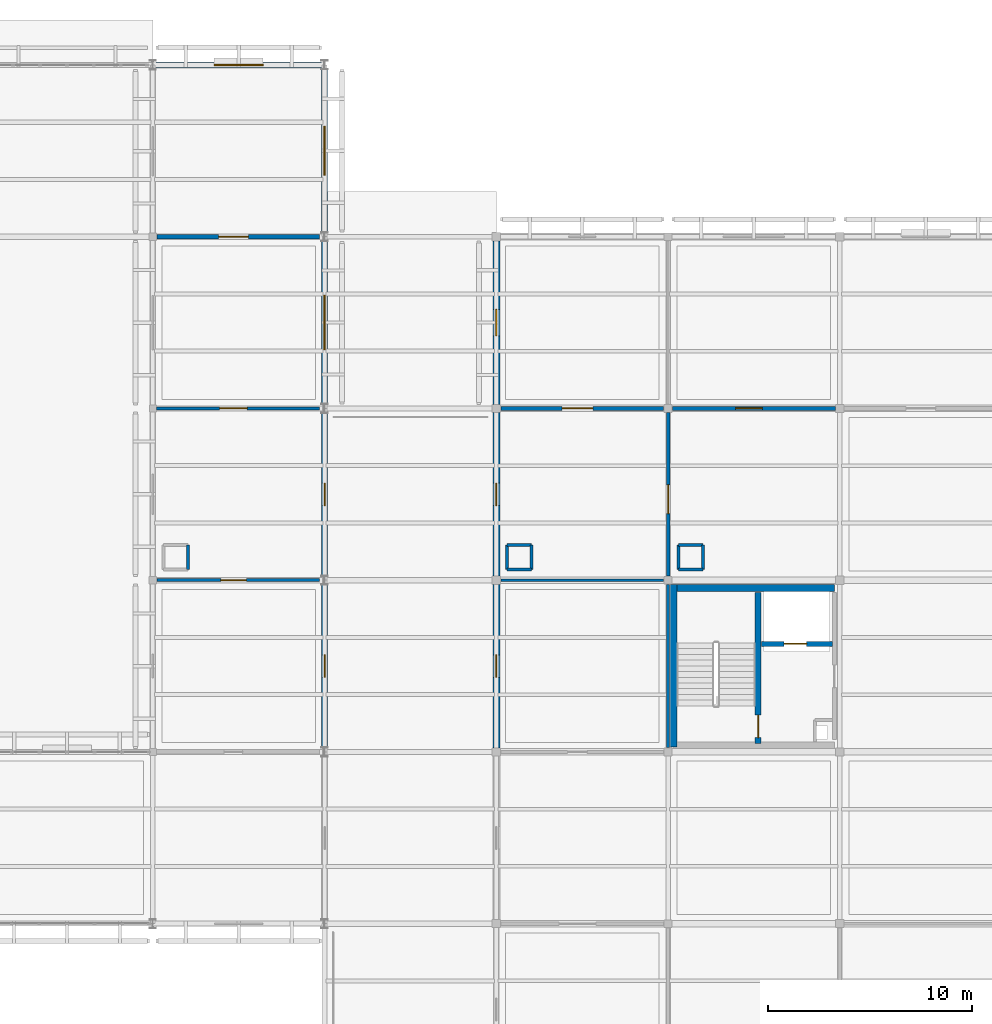
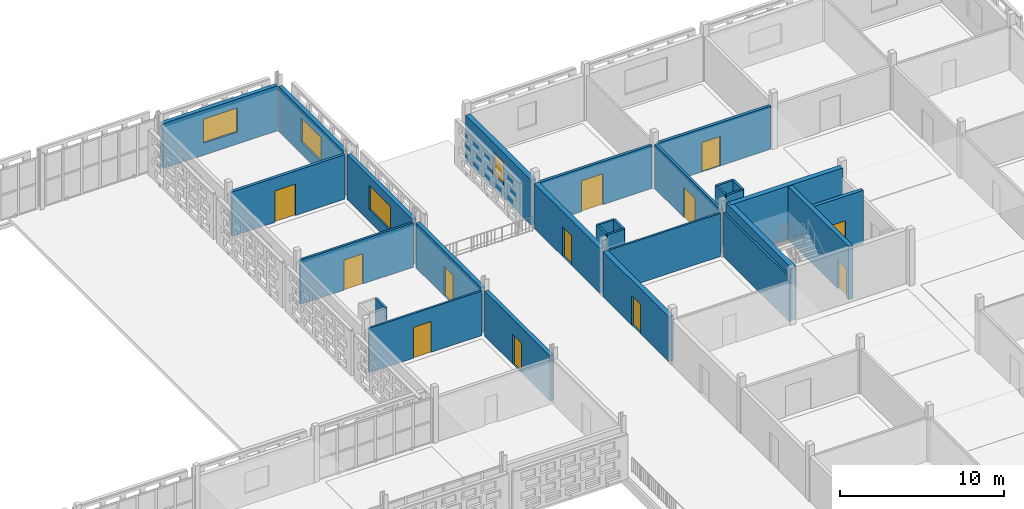
# One storey, part 91 of 140: 29 walls, 12 doors, 4 windows, 16 openings.
"""IFC4 building model written with IfcOpenShell, lengths in metres."""

from ifc_helpers import new_model, si_unit, direction, frame, frame_2d, origin, place, context, subcontext, project, spatial, rectangle, extrude, material, layer, layer_set, type_object, element, fill, save


model = new_model("IFC4")

# Units and contexts
model_context = context("Model", 3, precision=1e-05, world=origin(), true_north=direction((0.0, 1.0)))
body_context = subcontext(model_context, "Body", "Model", "MODEL_VIEW")
ifc_project = project(units=[si_unit("LENGTHUNIT", "METRE"), si_unit("AREAUNIT", "SQUARE_METRE"), si_unit("VOLUMEUNIT", "CUBIC_METRE"), si_unit("PLANEANGLEUNIT", "RADIAN"), si_unit("MASSUNIT", "GRAM", prefix="KILO")], contexts=[model_context])

# Site, building, storey
site_placement = place(None, origin())
site = spatial("IfcSite", under=ifc_project, at=site_placement, CompositionType="ELEMENT")
building_placement = place(site_placement, origin())
building = spatial("IfcBuilding", under=site, at=building_placement, Name="Varnapada Polytechnic", CompositionType="ELEMENT")
storey_placement = place(building_placement, frame((0.0, 0.0, 13.800048828125)))
storey = spatial("IfcBuildingStorey", under=building, at=storey_placement, Name="L03", CompositionType="ELEMENT", Elevation=13.800048828125)

# Walls
ifc_material_1 = material(Name="Autoclaved Aerated Concrete Block AAC-600", Category="concrete")
ifc_layer_1 = layer(ifc_material_1, 0.14990234375)
ifc_layer_set_1 = layer_set([ifc_layer_1], Name="Autoclaved Aerated Concrete Block AAC-600")
wall_type_1 = type_object("IfcWallType", Name="Interior Wall IW-02", PredefinedType="PARTITIONING", material=ifc_layer_set_1)
for number, where, z_axis, x_axis, name in (
    (1, (127.719970703125, 101.320068359375, 0.0), (0.0, 0.0, 1.0), (0.0, 1.0, 0.0), "L03 enclosed service riser wall (16,13) E"),
    (2, (143.320068359375, 101.320068359375, 0.0), (0.0, 0.0, 1.0), (1.0, 0.0, 0.0), "L03 enclosed service riser wall (18,13) S"),
    (3, (144.52001953125, 101.320068359375, 0.0), (0.0, 0.0, 1.0), (0.0, 1.0, 0.0), "L03 enclosed service riser wall (18,13) E"),
    (4, (144.52001953125, 102.52001953125, 0.0), (0.0, 0.0, 1.0), (-1.0, 0.0, 0.0), "L03 enclosed service riser wall (18,13) N"),
    (5, (143.320068359375, 102.52001953125, 0.0), (0.0, 0.0, 1.0), (0.0, -1.0, 0.0), "L03 enclosed service riser wall (18,13) W"),
    (6, (151.719970703125, 101.320068359375, 0.0), (0.0, 0.0, 1.0), (1.0, 0.0, 0.0), "L03 enclosed service riser wall (19,13) S"),
    (7, (152.919921875, 101.320068359375, 0.0), (0.0, 0.0, 1.0), (0.0, 1.0, 0.0), "L03 enclosed service riser wall (19,13) E"),
    (8, (152.919921875, 102.52001953125, 0.0), (0.0, 0.0, 1.0), (-1.0, 0.0, 0.0), "L03 enclosed service riser wall (19,13) N"),
    (9, (151.719970703125, 102.52001953125, 0.0), (0.0, 0.0, 1.0), (0.0, -1.0, 0.0), "L03 enclosed service riser wall (19,13) W"),
):
    element("IfcWall", number, at=place(storey_placement, frame(where, z_axis=z_axis, x_axis=x_axis)), inside=storey, type_object=wall_type_1, Name=name, PredefinedType="PARTITIONING", context=body_context, shape_type="SweptSolid", body=[
        extrude(rectangle(XDim=1.199951171875, YDim=0.14990234375, at=frame_2d((0.60009765625, 0.0))), origin(), (0.0, 0.0, 1.0), 3.97998046875),
    ])
ifc_material_2 = material(Name="Moisture-Resistant Cement Board Partition")
ifc_layer_2 = layer(ifc_material_2, 0.139892578125)
ifc_layer_set_2 = layer_set([ifc_layer_2], Name="Moisture-Resistant Cement Board Partition")
wall_type_2 = type_object("IfcWallType", Name="Interior Wall IW-04", PredefinedType="PARTITIONING", material=ifc_layer_set_2)
wall_1_placement = place(storey_placement, frame((151.199951171875, 92.610107421875, 0.0), z_axis=(0.0, 0.0, 1.0), x_axis=(0.0, 1.0, 0.0)))
element("IfcWall", 10, at=wall_1_placement, inside=storey, type_object=wall_type_2, Name="L03 interior partition IW-L03-17-11-V", PredefinedType="PARTITIONING", context=body_context, shape_type="SweptSolid", body=[
    extrude(rectangle(XDim=7.97998046875, YDim=0.139892578125, at=frame_2d((3.989990234375, 0.0))), origin(), (0.0, 0.0, 1.0), 3.320068359375),
])
wall_2_placement = place(storey_placement, frame((143.02001953125, 100.800048828125, 0.0), z_axis=(0.0, 0.0, 1.0), x_axis=(1.0, 0.0, 0.0)))
element("IfcWall", 11, at=wall_2_placement, inside=storey, type_object=wall_type_2, Name="L03 interior partition IW-L03-17-11-H", PredefinedType="PARTITIONING", context=body_context, shape_type="SweptSolid", body=[
    extrude(rectangle(XDim=7.969970703125, YDim=0.139892578125, at=frame_2d((3.98486328125, 0.0))), origin(), (0.0, 0.0, 1.0), 3.219970703125),
])

# Wall, opening, door
ifc_material_3 = material(Name="Double-Layer Fireboard Workshop Wall")
ifc_layer_3 = layer(ifc_material_3, 0.169921875)
ifc_layer_set_3 = layer_set([ifc_layer_3], Name="Double-Layer Fireboard Workshop Wall")
wall_type_3 = type_object("IfcWallType", Name="Interior Wall IW-10", PredefinedType="PARTITIONING", material=ifc_layer_set_3)
wall_3_placement = place(storey_placement, frame((151.199951171875, 101.010009765625, 0.0), z_axis=(0.0, 0.0, 1.0), x_axis=(0.0, 1.0, 0.0)))
wall_3 = element("IfcWall", 12, at=wall_3_placement, inside=storey, type_object=wall_type_3, Name="L03 interior partition IW-L03-17-12-V", PredefinedType="PARTITIONING", context=body_context, shape_type="SweptSolid", body=[
    extrude(rectangle(XDim=7.97998046875, YDim=0.169921875, at=frame_2d((3.989990234375, 0.0))), origin(), (0.0, 0.0, 1.0), 3.320068359375),
])
opening_1_placement = place(wall_3_placement, frame((3.050048828125, 0.0, 0.0)))
opening_1 = element("IfcOpeningElement", 13, at=opening_1_placement, cuts=wall_3, Name="Opening D-1245", PredefinedType="OPENING", context=body_context, shape_type="SweptSolid", body=[
    extrude(rectangle(XDim=1.39990234375, YDim=2.25, at=frame_2d((0.699951171875, 1.125))), frame((0.0, 0.094970703125, 0.0), z_axis=(0.0, -1.0, 0.0), x_axis=(1.0, 0.0, 0.0)), (0.0, 0.0, 1.0), 0.18994140625),
])
ifc_material_4 = material(Name="Powder-Coated Aluminium 6063-T6", Category="aluminium")
door_type_1 = type_object("IfcDoorType", Name="Interior Door ID-06", OperationType="NOTDEFINED", PredefinedType="DOOR", material=ifc_material_4)
door_1_placement = place(opening_1_placement, origin())
door_1 = element("IfcDoor", 14, at=door_1_placement, inside=storey, type_object=door_type_1, Name="L03 interior room door D-1245", OperationType="SINGLE_SWING_RIGHT", OverallHeight=2.25, OverallWidth=1.39990234375, PredefinedType="DOOR", context=body_context, shape_type="SweptSolid", body=[
    extrude(rectangle(XDim=1.39990234375, YDim=2.25, at=frame_2d((0.699951171875, 1.125))), frame((0.0, 0.02490234375, 0.0), z_axis=(0.0, -1.0, 0.0), x_axis=(1.0, 0.0, 0.0)), (0.0, 0.0, 1.0), 0.050048828125),
])
fill(opening_1, door_1)

ifc_material_5 = material(Name="Insulated Masonry Plant Room Wall", Category="masonry")
ifc_layer_4 = layer(ifc_material_5, 0.18994140625)
ifc_layer_set_4 = layer_set([ifc_layer_4], Name="Insulated Masonry Plant Room Wall")
wall_type_4 = type_object("IfcWallType", Name="Interior Wall IW-11", PredefinedType="PARTITIONING", material=ifc_layer_set_4)
wall_4_placement = place(storey_placement, frame((143.02001953125, 109.199951171875, 0.0), z_axis=(0.0, 0.0, 1.0), x_axis=(1.0, 0.0, 0.0)))
wall_4 = element("IfcWall", 15, at=wall_4_placement, inside=storey, type_object=wall_type_4, Name="L03 interior partition IW-L03-17-12-H", PredefinedType="PARTITIONING", context=body_context, shape_type="SweptSolid", body=[
    extrude(rectangle(XDim=7.969970703125, YDim=0.18994140625, at=frame_2d((3.98486328125, 0.0))), origin(), (0.0, 0.0, 1.0), 3.219970703125),
])
opening_2_placement = place(wall_4_placement, frame((3.0, 0.0, 0.0)))
opening_2 = element("IfcOpeningElement", 16, at=opening_2_placement, cuts=wall_4, Name="Opening D-1246", PredefinedType="OPENING", context=body_context, shape_type="SweptSolid", body=[
    extrude(rectangle(XDim=1.5, YDim=2.300048828125, at=frame_2d((0.75, 1.14990234375))), frame((0.0, 0.10498046875, 0.0), z_axis=(0.0, -1.0, 0.0), x_axis=(1.0, 0.0, 0.0)), (0.0, 0.0, 1.0), 0.2099609375),
])
ifc_material_6 = material(Name="Galvanized Steel Z275", Category="steel")
door_type_2 = type_object("IfcDoorType", Name="Interior Door ID-07", OperationType="NOTDEFINED", PredefinedType="DOOR", material=ifc_material_6)
door_2_placement = place(opening_2_placement, origin())
door_2 = element("IfcDoor", 17, at=door_2_placement, inside=storey, type_object=door_type_2, Name="L03 interior room door D-1246", OperationType="SINGLE_SWING_LEFT", OverallHeight=2.300048828125, OverallWidth=1.5, PredefinedType="DOOR", context=body_context, shape_type="SweptSolid", body=[
    extrude(rectangle(XDim=1.5, YDim=2.300048828125, at=frame_2d((0.75, 1.14990234375))), frame((0.0, 0.02490234375, 0.0), z_axis=(0.0, -1.0, 0.0), x_axis=(1.0, 0.0, 0.0)), (0.0, 0.0, 1.0), 0.050048828125),
])
fill(opening_2, door_2)

ifc_material_7 = material(Name="Ceramic-Tiled Wet Laboratory Wall")
ifc_layer_5 = layer(ifc_material_7, 0.14501953125)
ifc_layer_set_5 = layer_set([ifc_layer_5], Name="Ceramic-Tiled Wet Laboratory Wall")
wall_type_5 = type_object("IfcWallType", Name="Interior Wall IW-14", PredefinedType="PARTITIONING", material=ifc_layer_set_5)
wall_5_placement = place(storey_placement, frame((126.199951171875, 100.800048828125, 0.0), z_axis=(0.0, 0.0, 1.0), x_axis=(1.0, 0.0, 0.0)))
wall_5 = element("IfcWall", 18, at=wall_5_placement, inside=storey, type_object=wall_type_5, Name="L03 interior partition IW-L03-15-11-H", PredefinedType="PARTITIONING", context=body_context, shape_type="SweptSolid", body=[
    extrude(rectangle(XDim=7.955078125, YDim=0.14501953125, at=frame_2d((3.9775390625, 0.0))), origin(), (0.0, 0.0, 1.0), 3.320068359375),
])
opening_3_placement = place(wall_5_placement, frame((3.125, 0.0, 0.0)))
opening_3 = element("IfcOpeningElement", 19, at=opening_3_placement, cuts=wall_5, Name="Opening D-1238", PredefinedType="OPENING", context=body_context, shape_type="SweptSolid", body=[
    extrude(rectangle(XDim=1.25, YDim=2.300048828125, at=frame_2d((0.625, 1.14990234375))), frame((0.0, 0.08251953125, 0.0), z_axis=(0.0, -1.0, 0.0), x_axis=(1.0, 0.0, 0.0)), (0.0, 0.0, 1.0), 0.1650390625),
])
ifc_material_8 = material(Name="Solid Teak Hardwood Timber", Category="wood")
door_type_3 = type_object("IfcDoorType", Name="Interior Door ID-16", OperationType="NOTDEFINED", PredefinedType="DOOR", material=ifc_material_8)
door_3_placement = place(opening_3_placement, frame((1.25, 0.0, 0.0), z_axis=(0.0, 0.0, 1.0), x_axis=(-1.0, 0.0, 0.0)))
door_3 = element("IfcDoor", 20, at=door_3_placement, inside=storey, type_object=door_type_3, Name="L03 interior room door D-1238", OperationType="SINGLE_SWING_LEFT", OverallHeight=2.300048828125, OverallWidth=1.25, PredefinedType="DOOR", context=body_context, shape_type="SweptSolid", body=[
    extrude(rectangle(XDim=1.25, YDim=2.300048828125, at=frame_2d((0.625, 1.14990234375))), frame((0.0, 0.02490234375, 0.0), z_axis=(0.0, -1.0, 0.0), x_axis=(1.0, 0.0, 0.0)), (0.0, 0.0, 1.0), 0.050048828125),
])
fill(opening_3, door_3)

ifc_material_9 = material(Name="Perforated Timber-Lined Seminar Wall", Category="wood")
ifc_layer_6 = layer(ifc_material_9, 0.155029296875)
ifc_layer_set_6 = layer_set([ifc_layer_6], Name="Perforated Timber-Lined Seminar Wall")
wall_type_6 = type_object("IfcWallType", Name="Interior Wall IW-15", PredefinedType="PARTITIONING", material=ifc_layer_set_6)
wall_6_placement = place(storey_placement, frame((126.18994140625, 109.199951171875, 0.0), z_axis=(0.0, 0.0, 1.0), x_axis=(1.0, 0.0, 0.0)))
wall_6 = element("IfcWall", 21, at=wall_6_placement, inside=storey, type_object=wall_type_6, Name="L03 interior partition IW-L03-15-12-H", PredefinedType="PARTITIONING", context=body_context, shape_type="SweptSolid", body=[
    extrude(rectangle(XDim=7.965087890625, YDim=0.155029296875, at=frame_2d((3.982421875, 0.0))), origin(), (0.0, 0.0, 1.0), 3.320068359375),
])
opening_4_placement = place(wall_6_placement, frame((3.074951171875, 0.0, 0.0)))
opening_4 = element("IfcOpeningElement", 22, at=opening_4_placement, cuts=wall_6, Name="Opening D-1239", PredefinedType="OPENING", context=body_context, shape_type="SweptSolid", body=[
    extrude(rectangle(XDim=1.35009765625, YDim=2.25, at=frame_2d((0.675048828125, 1.125))), frame((0.0, 0.08740234375, 0.0), z_axis=(0.0, -1.0, 0.0), x_axis=(1.0, 0.0, 0.0)), (0.0, 0.0, 1.0), 0.175048828125),
])
door_type_4 = type_object("IfcDoorType", Name="Interior Door ID-17", OperationType="NOTDEFINED", PredefinedType="DOOR", material=ifc_material_4)
door_4_placement = place(opening_4_placement, origin())
door_4 = element("IfcDoor", 23, at=door_4_placement, inside=storey, type_object=door_type_4, Name="L03 interior room door D-1239", OperationType="SINGLE_SWING_RIGHT", OverallHeight=2.25, OverallWidth=1.35009765625, PredefinedType="DOOR", context=body_context, shape_type="SweptSolid", body=[
    extrude(rectangle(XDim=1.35009765625, YDim=2.25, at=frame_2d((0.675048828125, 1.125))), frame((0.0, 0.02490234375, 0.0), z_axis=(0.0, -1.0, 0.0), x_axis=(1.0, 0.0, 0.0)), (0.0, 0.0, 1.0), 0.050048828125),
])
fill(opening_4, door_4)

ifc_material_10 = material(Name="Heavy Masonry Workshop Partition", Category="masonry")
ifc_layer_7 = layer(ifc_material_10, 0.2099609375)
ifc_layer_set_7 = layer_set([ifc_layer_7], Name="Heavy Masonry Workshop Partition")
wall_type_7 = type_object("IfcWallType", Name="Interior Wall IW-16", PredefinedType="PARTITIONING", material=ifc_layer_set_7)
wall_7_placement = place(storey_placement, frame((126.199951171875, 117.60009765625, 0.0), z_axis=(0.0, 0.0, 1.0), x_axis=(1.0, 0.0, 0.0)))
wall_7 = element("IfcWall", 24, at=wall_7_placement, inside=storey, type_object=wall_type_7, Name="L03 interior partition IW-L03-15-13-H", PredefinedType="PARTITIONING", context=body_context, shape_type="SweptSolid", body=[
    extrude(rectangle(XDim=7.955078125, YDim=0.2099609375, at=frame_2d((3.9775390625, 0.0))), origin(), (0.0, 0.0, 1.0), 3.320068359375),
])
opening_5_placement = place(wall_7_placement, frame((3.02490234375, 0.0, 0.0)))
opening_5 = element("IfcOpeningElement", 25, at=opening_5_placement, cuts=wall_7, Name="Opening D-1240", PredefinedType="OPENING", context=body_context, shape_type="SweptSolid", body=[
    extrude(rectangle(XDim=1.449951171875, YDim=2.35009765625, at=frame_2d((0.72509765625, 1.175048828125))), frame((0.0, 0.114990234375, 0.0), z_axis=(0.0, -1.0, 0.0), x_axis=(1.0, 0.0, 0.0)), (0.0, 0.0, 1.0), 0.22998046875),
])
door_type_5 = type_object("IfcDoorType", Name="Interior Door ID-18", OperationType="NOTDEFINED", PredefinedType="DOOR", material=ifc_material_6)
door_5_placement = place(opening_5_placement, origin())
door_5 = element("IfcDoor", 26, at=door_5_placement, inside=storey, type_object=door_type_5, Name="L03 interior room door D-1240", OperationType="SINGLE_SWING_LEFT", OverallHeight=2.35009765625, OverallWidth=1.449951171875, PredefinedType="DOOR", context=body_context, shape_type="SweptSolid", body=[
    extrude(rectangle(XDim=1.449951171875, YDim=2.35009765625, at=frame_2d((0.72509765625, 1.175048828125))), frame((0.0, 0.02490234375, 0.0), z_axis=(0.0, -1.0, 0.0), x_axis=(1.0, 0.0, 0.0)), (0.0, 0.0, 1.0), 0.050048828125),
])
fill(opening_5, door_5)

wall_8_placement = place(storey_placement, frame((151.409912109375, 109.199951171875, 0.0), z_axis=(0.0, 0.0, 1.0), x_axis=(1.0, 0.0, 0.0)))
wall_8 = element("IfcWall", 27, at=wall_8_placement, inside=storey, type_object=wall_type_7, Name="L03 interior partition IW-L03-18-12-H", PredefinedType="PARTITIONING", context=body_context, shape_type="SweptSolid", body=[
    extrude(rectangle(XDim=7.969970703125, YDim=0.2099609375, at=frame_2d((3.98486328125, 0.0))), origin(), (0.0, 0.0, 1.0), 3.219970703125),
])
opening_6_placement = place(wall_8_placement, frame((3.10009765625, 0.0, 0.0)))
opening_6 = element("IfcOpeningElement", 28, at=opening_6_placement, cuts=wall_8, Name="Opening D-1250", PredefinedType="OPENING", context=body_context, shape_type="SweptSolid", body=[
    extrude(rectangle(XDim=1.300048828125, YDim=2.199951171875, at=frame_2d((0.64990234375, 1.10009765625))), frame((0.0, 0.114990234375, 0.0), z_axis=(0.0, -1.0, 0.0), x_axis=(1.0, 0.0, 0.0)), (0.0, 0.0, 1.0), 0.22998046875),
])
ifc_material_11 = material(Name="Acoustic Laminated Timber Leaf", Category="wood")
door_type_6 = type_object("IfcDoorType", Name="Interior Door ID-11", OperationType="NOTDEFINED", PredefinedType="DOOR", material=ifc_material_11)
door_6_placement = place(opening_6_placement, frame((1.300048828125, 0.0, 0.0), z_axis=(0.0, 0.0, 1.0), x_axis=(-1.0, 0.0, 0.0)))
door_6 = element("IfcDoor", 29, at=door_6_placement, inside=storey, type_object=door_type_6, Name="L03 interior room door D-1250", OperationType="SINGLE_SWING_LEFT", OverallHeight=2.199951171875, OverallWidth=1.300048828125, PredefinedType="DOOR", context=body_context, shape_type="SweptSolid", body=[
    extrude(rectangle(XDim=1.300048828125, YDim=2.199951171875, at=frame_2d((0.64990234375, 1.10009765625))), frame((0.0, 0.02490234375, 0.0), z_axis=(0.0, -1.0, 0.0), x_axis=(1.0, 0.0, 0.0)), (0.0, 0.0, 1.0), 0.050048828125),
])
fill(opening_6, door_6)

# Walls
ifc_material_12 = material(Name="Concrete C40/50", Category="concrete")
ifc_layer_8 = layer(ifc_material_12, 0.35009765625)
ifc_layer_set_8 = layer_set([ifc_layer_8], Name="Concrete C40/50")
wall_type_8 = type_object("IfcWallType", Name="Interior Wall SW-01", PredefinedType="SHEAR", material=ifc_layer_set_8)
wall_9_placement = place(storey_placement, frame((151.465087890625, 92.64990234375, 0.0), z_axis=(0.0, 0.0, 1.0), x_axis=(0.0, 1.0, 0.0)))
element("IfcWall", 30, at=wall_9_placement, inside=storey, type_object=wall_type_8, Name="L03 C5 stair west shear wall", PredefinedType="SHEAR", context=body_context, shape_type="SweptSolid", body=[
    extrude(rectangle(XDim=7.940185546875, YDim=0.35009765625, at=frame_2d((3.97021484375, 0.0))), origin(), (0.0, 0.0, 1.0), 3.97998046875),
])
wall_10_placement = place(storey_placement, frame((151.465087890625, 100.419921875, 0.0), z_axis=(0.0, 0.0, 1.0), x_axis=(1.0, 0.0, 0.0)))
element("IfcWall", 31, at=wall_10_placement, inside=storey, type_object=wall_type_8, Name="L03 C5 core north shear wall", PredefinedType="SHEAR", context=body_context, shape_type="SweptSolid", body=[
    extrude(rectangle(XDim=7.875, YDim=0.35009765625, at=frame_2d((3.9375, 0.0))), origin(), (0.0, 0.0, 1.0), 3.97998046875),
])

# Wall, opening, door
ifc_layer_9 = layer(ifc_material_12, 0.300048828125)
ifc_layer_set_9 = layer_set([ifc_layer_9], Name="Concrete C40/50")
wall_type_9 = type_object("IfcWallType", Name="Interior Wall SW-02", PredefinedType="SHEAR", material=ifc_layer_set_9)
wall_11_placement = place(storey_placement, frame((155.610107421875, 92.820068359375, 0.0), z_axis=(0.0, 0.0, 1.0), x_axis=(0.0, 1.0, 0.0)))
wall_11 = element("IfcWall", 32, at=wall_11_placement, inside=storey, type_object=wall_type_9, Name="L03 C5 stair-lobby dividing shear wall", PredefinedType="SHEAR", context=body_context, shape_type="SweptSolid", body=[
    extrude(rectangle(XDim=7.3798828125, YDim=0.300048828125, at=frame_2d((3.68994140625, 0.0))), origin(), (0.0, 0.0, 1.0), 3.97998046875),
])
opening_7_placement = place(wall_11_placement, frame((0.280029296875, 0.0, 0.0)))
opening_7 = element("IfcOpeningElement", 33, at=opening_7_placement, cuts=wall_11, Name="Opening D-1195", PredefinedType="OPENING", context=body_context, shape_type="SweptSolid", body=[
    extrude(rectangle(XDim=1.10009765625, YDim=2.14990234375, at=frame_2d((0.550048828125, 1.074951171875))), frame((0.0, 0.159912109375, 0.0), z_axis=(0.0, -1.0, 0.0), x_axis=(1.0, 0.0, 0.0)), (0.0, 0.0, 1.0), 0.320068359375),
])
door_type_7 = type_object("IfcDoorType", Name="Interior Door ID-01", OperationType="NOTDEFINED", PredefinedType="DOOR", material=ifc_material_6)
door_7_placement = place(opening_7_placement, origin())
door_7 = element("IfcDoor", 34, at=door_7_placement, inside=storey, type_object=door_type_7, Name="L03 C5 exit stair door D-1195", OperationType="SINGLE_SWING_RIGHT", OverallHeight=2.14990234375, OverallWidth=1.10009765625, PredefinedType="DOOR", context=body_context, shape_type="SweptSolid", body=[
    extrude(rectangle(XDim=1.10009765625, YDim=2.14990234375, at=frame_2d((0.550048828125, 1.074951171875))), frame((0.0, 0.02490234375, 0.0), z_axis=(0.0, -1.0, 0.0), x_axis=(1.0, 0.0, 0.0)), (0.0, 0.0, 1.0), 0.050048828125),
])
fill(opening_7, door_7)

ifc_layer_10 = layer(ifc_material_12, 0.25)
ifc_layer_set_10 = layer_set([ifc_layer_10], Name="Concrete C40/50")
wall_type_10 = type_object("IfcWallType", Name="Interior Wall SW-05", PredefinedType="SHEAR", material=ifc_layer_set_10)
wall_12_placement = place(storey_placement, frame((155.780029296875, 97.679931640625, 0.0), z_axis=(0.0, 0.0, 1.0), x_axis=(1.0, 0.0, 0.0)))
wall_12 = element("IfcWall", 35, at=wall_12_placement, inside=storey, type_object=wall_type_10, Name="L03 C5 lift shaft front wall", PredefinedType="SHEAR", context=body_context, shape_type="SweptSolid", body=[
    extrude(rectangle(XDim=3.4599609375, YDim=0.25, at=frame_2d((1.72998046875, 0.0))), origin(), (0.0, 0.0, 1.0), 3.97998046875),
])
opening_8_placement = place(wall_12_placement, frame((1.10009765625, 0.0, 0.0)))
opening_8 = element("IfcOpeningElement", 36, at=opening_8_placement, cuts=wall_12, Name="Opening LD-029", PredefinedType="OPENING", context=body_context, shape_type="SweptSolid", body=[
    extrude(rectangle(XDim=1.10009765625, YDim=2.14990234375, at=frame_2d((0.550048828125, 1.074951171875))), frame((0.0, 0.135009765625, 0.0), z_axis=(0.0, -1.0, 0.0), x_axis=(1.0, 0.0, 0.0)), (0.0, 0.0, 1.0), 0.27001953125),
])
ifc_material_13 = material(Name="Brushed Stainless Steel 316", Category="steel")
door_type_8 = type_object("IfcDoorType", Name="Interior Door LD-01", OperationType="NOTDEFINED", PredefinedType="DOOR", material=ifc_material_13)
door_8_placement = place(opening_8_placement, origin())
door_8 = element("IfcDoor", 37, at=door_8_placement, inside=storey, type_object=door_type_8, Name="L03 LFT-05 sliding lift landing door LD-029", OperationType="DOUBLE_DOOR_SLIDING", OverallHeight=2.14990234375, OverallWidth=1.10009765625, PredefinedType="DOOR", context=body_context, shape_type="SweptSolid", body=[
    extrude(rectangle(XDim=1.10009765625, YDim=2.14990234375, at=frame_2d((0.550048828125, 1.074951171875))), frame((0.0, 0.02490234375, 0.0), z_axis=(0.0, -1.0, 0.0), x_axis=(1.0, 0.0, 0.0)), (0.0, 0.0, 1.0), 0.050048828125),
])
fill(opening_8, door_8)

ifc_material_14 = material(Name="Precast concrete C40/50", Category="concrete")
ifc_layer_11 = layer(ifc_material_14, 0.280029296875)
ifc_layer_set_11 = layer_set([ifc_layer_11], Name="Precast concrete C40/50")
wall_type_11 = type_object("IfcWallType", Name="Wall EW-02", PredefinedType="SOLIDWALL", material=ifc_layer_set_11)
wall_13_placement = place(storey_placement, frame((134.39990234375, 100.574951171875, 0.0), z_axis=(0.0, 0.0, 1.0), x_axis=(0.0, -1.0, 0.0)))
wall_13 = element("IfcWall", 38, at=wall_13_placement, inside=storey, type_object=wall_type_11, Name="L03 exterior wall EW-02 (71)", PredefinedType="SOLIDWALL", context=body_context, shape_type="SweptSolid", body=[
    extrude(rectangle(XDim=7.949951171875, YDim=0.280029296875, at=frame_2d((3.97509765625, 0.0))), origin(), (0.0, 0.0, 1.0), 3.35986328125),
])
opening_9_placement = place(wall_13_placement, frame((3.425048828125, 0.0, 0.0)))
opening_9 = element("IfcOpeningElement", 39, at=opening_9_placement, cuts=wall_13, Name="Opening D-040", PredefinedType="OPENING", context=body_context, shape_type="SweptSolid", body=[
    extrude(rectangle(XDim=1.10009765625, YDim=2.199951171875, at=frame_2d((0.550048828125, 1.10009765625))), frame((0.0, 0.14990234375, 0.0), z_axis=(0.0, -1.0, 0.0), x_axis=(1.0, 0.0, 0.0)), (0.0, 0.0, 1.0), 0.300048828125),
])
ifc_material_15 = material(Name="Anodised aluminium and laminated glass", Category="aluminium")
door_type_9 = type_object("IfcDoorType", Name="Exterior Door ED-03", OperationType="NOTDEFINED", PredefinedType="DOOR", material=ifc_material_15)
door_9_placement = place(opening_9_placement, origin())
door_9 = element("IfcDoor", 40, at=door_9_placement, inside=storey, type_object=door_type_9, Name="L03 roof terrace access door D-040", OperationType="SINGLE_SWING_LEFT", OverallHeight=2.199951171875, OverallWidth=1.10009765625, PredefinedType="DOOR", context=body_context, shape_type="SweptSolid", body=[
    extrude(rectangle(XDim=1.10009765625, YDim=2.199951171875, at=frame_2d((0.550048828125, 1.10009765625))), frame((0.0, 0.02490234375, 0.0), z_axis=(0.0, -1.0, 0.0), x_axis=(1.0, 0.0, 0.0)), (0.0, 0.0, 1.0), 0.050048828125),
])
fill(opening_9, door_9)

wall_14_placement = place(storey_placement, frame((134.39990234375, 108.97509765625, 0.0), z_axis=(0.0, 0.0, 1.0), x_axis=(0.0, -1.0, 0.0)))
wall_14 = element("IfcWall", 41, at=wall_14_placement, inside=storey, type_object=wall_type_11, Name="L03 exterior wall EW-02 (73)", PredefinedType="SOLIDWALL", context=body_context, shape_type="SweptSolid", body=[
    extrude(rectangle(XDim=7.9501953125, YDim=0.280029296875, at=frame_2d((3.97509765625, 0.0))), origin(), (0.0, 0.0, 1.0), 3.35986328125),
])
opening_10_placement = place(wall_14_placement, frame((3.425048828125, 0.0, 0.0)))
opening_10 = element("IfcOpeningElement", 42, at=opening_10_placement, cuts=wall_14, Name="Opening D-041", PredefinedType="OPENING", context=body_context, shape_type="SweptSolid", body=[
    extrude(rectangle(XDim=1.10009765625, YDim=2.199951171875, at=frame_2d((0.550048828125, 1.10009765625))), frame((0.0, 0.14990234375, 0.0), z_axis=(0.0, -1.0, 0.0), x_axis=(1.0, 0.0, 0.0)), (0.0, 0.0, 1.0), 0.300048828125),
])
door_10_placement = place(opening_10_placement, origin())
door_10 = element("IfcDoor", 43, at=door_10_placement, inside=storey, type_object=door_type_9, Name="L03 roof terrace access door D-041", OperationType="SINGLE_SWING_RIGHT", OverallHeight=2.199951171875, OverallWidth=1.10009765625, PredefinedType="DOOR", context=body_context, shape_type="SweptSolid", body=[
    extrude(rectangle(XDim=1.10009765625, YDim=2.199951171875, at=frame_2d((0.550048828125, 1.10009765625))), frame((0.0, 0.02490234375, 0.0), z_axis=(0.0, -1.0, 0.0), x_axis=(1.0, 0.0, 0.0)), (0.0, 0.0, 1.0), 0.050048828125),
])
fill(opening_10, door_10)

# Wall, opening, window
wall_15_placement = place(storey_placement, frame((134.39990234375, 117.375, 0.0), z_axis=(0.0, 0.0, 1.0), x_axis=(0.0, -1.0, 0.0)))
wall_15 = element("IfcWall", 44, at=wall_15_placement, inside=storey, type_object=wall_type_11, Name="L03 exterior wall EW-02 (75)", PredefinedType="SOLIDWALL", context=body_context, shape_type="SweptSolid", body=[
    extrude(rectangle(XDim=7.949951171875, YDim=0.280029296875, at=frame_2d((3.97509765625, 0.0))), origin(), (0.0, 0.0, 1.0), 3.35986328125),
])
opening_11_placement = place(wall_15_placement, frame((2.64990234375, 0.0, 0.89990234375)))
opening_11 = element("IfcOpeningElement", 45, at=opening_11_placement, cuts=wall_15, Name="Opening WN-35", PredefinedType="OPENING", context=body_context, shape_type="SweptSolid", body=[
    extrude(rectangle(XDim=2.64990234375, YDim=1.800048828125, at=frame_2d((1.324951171875, 0.89990234375))), frame((0.0, 0.14990234375, 0.0), z_axis=(0.0, -1.0, 0.0), x_axis=(1.0, 0.0, 0.0)), (0.0, 0.0, 1.0), 0.300048828125),
])
ifc_material_16 = material(Name="Double low-E laminated glass", Category="glass")
window_type_1 = type_object("IfcWindowType", Name="Window WN-35", PartitioningType="SINGLE_PANEL", PredefinedType="WINDOW", material=ifc_material_16)
window_1_placement = place(opening_11_placement, origin())
window_1 = element("IfcWindow", 46, at=window_1_placement, inside=storey, type_object=window_type_1, Name="L03 window WN-35 (157)", OverallHeight=1.800048828125, OverallWidth=2.64990234375, PartitioningType="SINGLE_PANEL", PredefinedType="WINDOW", context=body_context, shape_type="SweptSolid", body=[
    extrude(rectangle(XDim=2.64990234375, YDim=1.800048828125, at=frame_2d((1.324951171875, 0.89990234375))), frame((0.0, 0.030029296875, 0.0), z_axis=(0.0, -1.0, 0.0), x_axis=(1.0, 0.0, 0.0)), (0.0, 0.0, 1.0), 0.06005859375),
])
fill(opening_11, window_1)

wall_16_placement = place(storey_placement, frame((126.14990234375, 126.0, 0.0), z_axis=(0.0, 0.0, 1.0), x_axis=(1.0, 0.0, 0.0)))
wall_16 = element("IfcWall", 47, at=wall_16_placement, inside=storey, type_object=wall_type_11, Name="L03 exterior wall EW-02 (76)", PredefinedType="SOLIDWALL", context=body_context, shape_type="SweptSolid", body=[
    extrude(rectangle(XDim=8.10009765625, YDim=0.280029296875, at=frame_2d((4.050048828125, 0.0))), origin(), (0.0, 0.0, 1.0), 3.35986328125),
])
opening_12_placement = place(wall_16_placement, frame((2.85009765625, 0.0, 0.89990234375)))
opening_12 = element("IfcOpeningElement", 48, at=opening_12_placement, cuts=wall_16, Name="Opening WN-02", PredefinedType="OPENING", context=body_context, shape_type="SweptSolid", body=[
    extrude(rectangle(XDim=2.39990234375, YDim=1.800048828125, at=frame_2d((1.199951171875, 0.89990234375))), frame((0.0, 0.14990234375, 0.0), z_axis=(0.0, -1.0, 0.0), x_axis=(1.0, 0.0, 0.0)), (0.0, 0.0, 1.0), 0.300048828125),
])
window_type_2 = type_object("IfcWindowType", Name="Window WN-02", PartitioningType="SINGLE_PANEL", PredefinedType="WINDOW", material=ifc_material_16)
window_2_placement = place(opening_12_placement, origin())
window_2 = element("IfcWindow", 49, at=window_2_placement, inside=storey, type_object=window_type_2, Name="L03 window WN-02 (158)", OverallHeight=1.800048828125, OverallWidth=2.39990234375, PartitioningType="SINGLE_PANEL", PredefinedType="WINDOW", context=body_context, shape_type="SweptSolid", body=[
    extrude(rectangle(XDim=2.39990234375, YDim=1.800048828125, at=frame_2d((1.199951171875, 0.89990234375))), frame((0.0, 0.030029296875, 0.0), z_axis=(0.0, -1.0, 0.0), x_axis=(1.0, 0.0, 0.0)), (0.0, 0.0, 1.0), 0.06005859375),
])
fill(opening_12, window_2)

wall_17_placement = place(storey_placement, frame((134.39990234375, 125.780029296875, 0.0), z_axis=(0.0, 0.0, 1.0), x_axis=(0.0, -1.0, 0.0)))
wall_17 = element("IfcWall", 50, at=wall_17_placement, inside=storey, type_object=wall_type_11, Name="L03 exterior wall EW-02 (78)", PredefinedType="SOLIDWALL", context=body_context, shape_type="SweptSolid", body=[
    extrude(rectangle(XDim=7.955078125, YDim=0.280029296875, at=frame_2d((3.9775390625, 0.0))), origin(), (0.0, 0.0, 1.0), 3.35986328125),
])
opening_13_placement = place(wall_17_placement, frame((2.777587890625, 0.0, 0.89990234375)))
opening_13 = element("IfcOpeningElement", 51, at=opening_13_placement, cuts=wall_17, Name="Opening WN-02", PredefinedType="OPENING", context=body_context, shape_type="SweptSolid", body=[
    extrude(rectangle(XDim=2.39990234375, YDim=1.800048828125, at=frame_2d((1.199951171875, 0.89990234375))), frame((0.0, 0.14990234375, 0.0), z_axis=(0.0, -1.0, 0.0), x_axis=(1.0, 0.0, 0.0)), (0.0, 0.0, 1.0), 0.300048828125),
])
window_3_placement = place(opening_13_placement, origin())
window_3 = element("IfcWindow", 52, at=window_3_placement, inside=storey, type_object=window_type_2, Name="L03 window WN-02 (160)", OverallHeight=1.800048828125, OverallWidth=2.39990234375, PartitioningType="SINGLE_PANEL", PredefinedType="WINDOW", context=body_context, shape_type="SweptSolid", body=[
    extrude(rectangle(XDim=2.39990234375, YDim=1.800048828125, at=frame_2d((1.199951171875, 0.89990234375))), frame((0.0, 0.030029296875, 0.0), z_axis=(0.0, -1.0, 0.0), x_axis=(1.0, 0.0, 0.0)), (0.0, 0.0, 1.0), 0.06005859375),
])
fill(opening_13, window_3)

# Wall, opening, door
ifc_layer_12 = layer(ifc_material_14, 0.340087890625)
ifc_layer_set_12 = layer_set([ifc_layer_12], Name="Precast concrete C40/50")
wall_type_12 = type_object("IfcWallType", Name="Wall EW-07", PredefinedType="SOLIDWALL", material=ifc_layer_set_12)
wall_18_placement = place(storey_placement, frame((142.800048828125, 92.60009765625, 0.0), z_axis=(0.0, 0.0, 1.0), x_axis=(0.0, 1.0, 0.0)))
wall_18 = element("IfcWall", 53, at=wall_18_placement, inside=storey, type_object=wall_type_12, Name="L03 exterior wall EW-07 (84)", PredefinedType="SOLIDWALL", context=body_context, shape_type="SweptSolid", body=[
    extrude(rectangle(XDim=8.0, YDim=0.340087890625, at=frame_2d((4.0, 0.0))), origin(), (0.0, 0.0, 1.0), 3.35986328125),
])
opening_14_placement = place(wall_18_placement, frame((3.449951171875, 0.0, 0.0)))
opening_14 = element("IfcOpeningElement", 54, at=opening_14_placement, cuts=wall_18, Name="Opening D-045", PredefinedType="OPENING", context=body_context, shape_type="SweptSolid", body=[
    extrude(rectangle(XDim=1.10009765625, YDim=2.199951171875, at=frame_2d((0.550048828125, 1.10009765625))), frame((0.0, 0.179931640625, 0.0), z_axis=(0.0, -1.0, 0.0), x_axis=(1.0, 0.0, 0.0)), (0.0, 0.0, 1.0), 0.360107421875),
])
door_11_placement = place(opening_14_placement, origin())
door_11 = element("IfcDoor", 55, at=door_11_placement, inside=storey, type_object=door_type_9, Name="L03 roof terrace access door D-045", OperationType="SINGLE_SWING_RIGHT", OverallHeight=2.199951171875, OverallWidth=1.10009765625, PredefinedType="DOOR", context=body_context, shape_type="SweptSolid", body=[
    extrude(rectangle(XDim=1.10009765625, YDim=2.199951171875, at=frame_2d((0.550048828125, 1.10009765625))), frame((0.0, 0.02490234375, 0.0), z_axis=(0.0, -1.0, 0.0), x_axis=(1.0, 0.0, 0.0)), (0.0, 0.0, 1.0), 0.050048828125),
])
fill(opening_14, door_11)

wall_19_placement = place(storey_placement, frame((142.800048828125, 101.0, 0.0), z_axis=(0.0, 0.0, 1.0), x_axis=(0.0, 1.0, 0.0)))
wall_19 = element("IfcWall", 56, at=wall_19_placement, inside=storey, type_object=wall_type_12, Name="L03 exterior wall EW-07 (85)", PredefinedType="SOLIDWALL", context=body_context, shape_type="SweptSolid", body=[
    extrude(rectangle(XDim=8.0, YDim=0.340087890625, at=frame_2d((4.0, 0.0))), origin(), (0.0, 0.0, 1.0), 3.35986328125),
])
opening_15_placement = place(wall_19_placement, frame((3.449951171875, 0.0, 0.0)))
opening_15 = element("IfcOpeningElement", 57, at=opening_15_placement, cuts=wall_19, Name="Opening D-046", PredefinedType="OPENING", context=body_context, shape_type="SweptSolid", body=[
    extrude(rectangle(XDim=1.10009765625, YDim=2.199951171875, at=frame_2d((0.550048828125, 1.10009765625))), frame((0.0, 0.179931640625, 0.0), z_axis=(0.0, -1.0, 0.0), x_axis=(1.0, 0.0, 0.0)), (0.0, 0.0, 1.0), 0.360107421875),
])
door_12_placement = place(opening_15_placement, origin())
door_12 = element("IfcDoor", 58, at=door_12_placement, inside=storey, type_object=door_type_9, Name="L03 roof terrace access door D-046", OperationType="SINGLE_SWING_LEFT", OverallHeight=2.199951171875, OverallWidth=1.10009765625, PredefinedType="DOOR", context=body_context, shape_type="SweptSolid", body=[
    extrude(rectangle(XDim=1.10009765625, YDim=2.199951171875, at=frame_2d((0.550048828125, 1.10009765625))), frame((0.0, 0.02490234375, 0.0), z_axis=(0.0, -1.0, 0.0), x_axis=(1.0, 0.0, 0.0)), (0.0, 0.0, 1.0), 0.050048828125),
])
fill(opening_15, door_12)

# Wall, opening, window
wall_20_placement = place(storey_placement, frame((142.800048828125, 109.39990234375, 0.0), z_axis=(0.0, 0.0, 1.0), x_axis=(0.0, 1.0, 0.0)))
wall_20 = element("IfcWall", 59, at=wall_20_placement, inside=storey, type_object=wall_type_12, Name="L03 exterior wall EW-07 (87)", PredefinedType="SOLIDWALL", context=body_context, shape_type="SweptSolid", body=[
    extrude(rectangle(XDim=8.0, YDim=0.340087890625, at=frame_2d((4.0, 0.0))), origin(), (0.0, 0.0, 1.0), 3.35986328125),
])
opening_16_placement = place(wall_20_placement, frame((3.35009765625, 0.0, 0.89990234375)))
opening_16 = element("IfcOpeningElement", 60, at=opening_16_placement, cuts=wall_20, Name="Opening WN-09", PredefinedType="OPENING", context=body_context, shape_type="SweptSolid", body=[
    extrude(rectangle(XDim=1.300048828125, YDim=1.75, at=frame_2d((0.64990234375, 0.875))), frame((0.0, 0.179931640625, 0.0), z_axis=(0.0, -1.0, 0.0), x_axis=(1.0, 0.0, 0.0)), (0.0, 0.0, 1.0), 0.360107421875),
])
window_type_3 = type_object("IfcWindowType", Name="Window WN-09", PartitioningType="SINGLE_PANEL", PredefinedType="WINDOW", material=ifc_material_16)
window_4_placement = place(opening_16_placement, origin())
window_4 = element("IfcWindow", 61, at=window_4_placement, inside=storey, type_object=window_type_3, Name="L03 window WN-09 (164)", OverallHeight=1.75, OverallWidth=1.300048828125, PartitioningType="SINGLE_PANEL", PredefinedType="WINDOW", context=body_context, shape_type="SweptSolid", body=[
    extrude(rectangle(XDim=1.300048828125, YDim=1.75, at=frame_2d((0.64990234375, 0.875))), frame((0.0, 0.030029296875, 0.0), z_axis=(0.0, -1.0, 0.0), x_axis=(1.0, 0.0, 0.0)), (0.0, 0.0, 1.0), 0.06005859375),
])
fill(opening_16, window_4)

save(model, "model.ifc")
